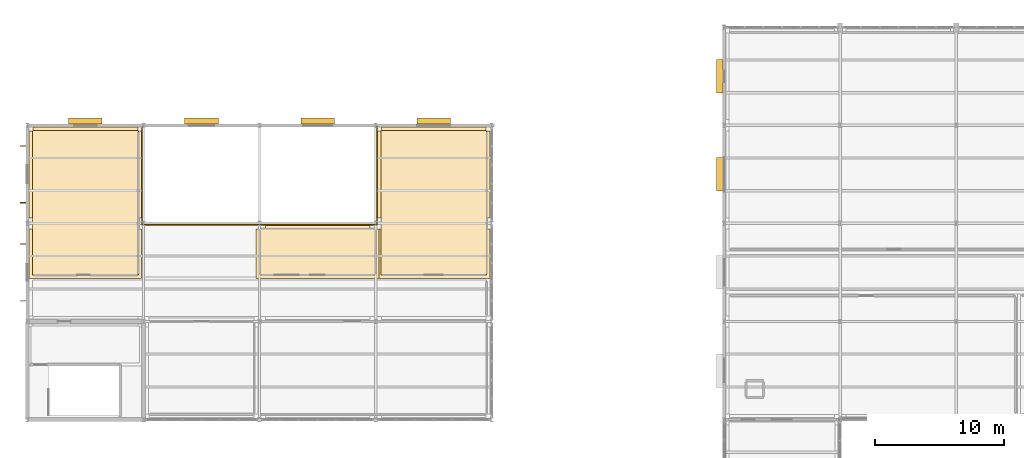
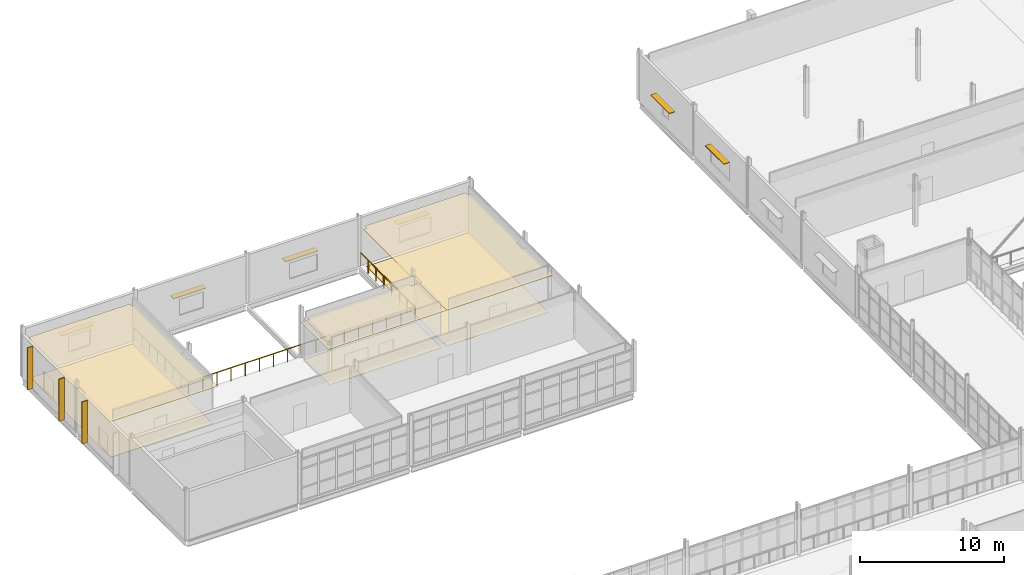
# One storey, part 171 of 174: 9 shading devices, 6 coverings, 1 railing.
"""IFC4 building model written with IfcOpenShell, lengths in metres."""

from ifc_helpers import new_model, si_unit, direction, frame, origin, origin_2d, place, context, subcontext, project, spatial, polyline, rectangle, circle, outline, extrude, material, layer, layer_set, type_object, element, save


model = new_model("IFC4")

# Units and contexts
model_context = context("Model", 3, precision=1e-05, world=origin(), true_north=direction((0.0, 1.0)))
body_context = subcontext(model_context, "Body", "Model", "MODEL_VIEW")
ifc_project = project(units=[si_unit("LENGTHUNIT", "METRE"), si_unit("AREAUNIT", "SQUARE_METRE"), si_unit("VOLUMEUNIT", "CUBIC_METRE"), si_unit("PLANEANGLEUNIT", "RADIAN"), si_unit("MASSUNIT", "GRAM", prefix="KILO")], contexts=[model_context])

# Site, building, storey
site_placement = place(None, origin())
site = spatial("IfcSite", under=ifc_project, at=site_placement, CompositionType="ELEMENT")
building_placement = place(site_placement, origin())
building = spatial("IfcBuilding", under=site, at=building_placement, Name="Caisbarro Railhouse Central Library", CompositionType="ELEMENT")
storey_placement = place(building_placement, frame((0.0, 0.0, 5.0400390625)))
storey = spatial("IfcBuildingStorey", under=building, at=storey_placement, Name="L01", CompositionType="ELEMENT", Elevation=5.0400390625)

# Coverings
ifc_material_1 = material(Name="Perforated mineral-fibre acoustic ceiling tile")
ifc_layer_1 = layer(ifc_material_1, 0.01806640625, Name="Perforated mineral-fibre acoustic ceiling tile")
ifc_layer_set_1 = layer_set([ifc_layer_1], Name="Perforated mineral-fibre acoustic ceiling tile")
covering_type_1 = type_object("IfcCoveringType", Name="COV-CL01", PredefinedType="CEILING", material=ifc_layer_set_1)
covering_1_placement = place(storey_placement, frame((0.0, 0.0, 3.25)))
element("IfcCovering", 1, at=covering_1_placement, inside=storey, type_object=covering_type_1, Name="CL01 acoustic ceiling Homework Tutoring Classroom", PredefinedType="CEILING", context=body_context, shape_type="SweptSolid", body=[
    extrude(outline(polyline([(18.43994140625, 98.360107421875), (18.43994140625, 98.659912109375), (26.56005859375, 98.659912109375), (26.56005859375, 98.360107421875), (27.260009765625, 98.360107421875), (27.260009765625, 94.5400390625), (17.739990234375, 94.5400390625), (17.739990234375, 98.360107421875), (18.43994140625, 98.360107421875)])), origin(), (0.0, 0.0, 1.0), 0.01806640625),
])
covering_2_placement = place(storey_placement, frame((0.0, 0.0, 3.25)))
element("IfcCovering", 2, at=covering_2_placement, inside=storey, type_object=covering_type_1, Name="CL01 acoustic ceiling Storytelling Mezzanine West", PredefinedType="CEILING", context=body_context, shape_type="SweptSolid", body=[
    extrude(outline(polyline([(0.139892578125, 99.239990234375), (0.139892578125, 105.9599609375), (0.43994140625, 105.9599609375), (0.43994140625, 106.260009765625), (8.56005859375, 106.260009765625), (8.56005859375, 105.9599609375), (8.860107421875, 105.9599609375), (8.860107421875, 99.239990234375), (8.56005859375, 99.239990234375), (8.56005859375, 98.360107421875), (8.860107421875, 98.360107421875), (8.860107421875, 94.5400390625), (0.139892578125, 94.5400390625), (0.139892578125, 98.360107421875), (0.43994140625, 98.360107421875), (0.43994140625, 99.239990234375), (0.139892578125, 99.239990234375)])), origin(), (0.0, 0.0, 1.0), 0.01806640625),
])
covering_3_placement = place(storey_placement, frame((0.0, 0.0, 3.25)))
element("IfcCovering", 3, at=covering_3_placement, inside=storey, type_object=covering_type_1, Name="CL01 acoustic ceiling Storytelling Mezzanine East", PredefinedType="CEILING", context=body_context, shape_type="SweptSolid", body=[
    extrude(outline(polyline([(27.139892578125, 99.239990234375), (27.139892578125, 105.9599609375), (27.43994140625, 105.9599609375), (27.43994140625, 106.260009765625), (35.56005859375, 106.260009765625), (35.56005859375, 105.9599609375), (35.860107421875, 105.9599609375), (35.860107421875, 99.239990234375), (35.56005859375, 99.239990234375), (35.56005859375, 98.360107421875), (35.860107421875, 98.360107421875), (35.860107421875, 94.5400390625), (27.139892578125, 94.5400390625), (27.139892578125, 98.360107421875), (27.43994140625, 98.360107421875), (27.43994140625, 99.239990234375), (27.139892578125, 99.239990234375)])), origin(), (0.0, 0.0, 1.0), 0.01806640625),
])
ifc_material_2 = material(Name="Heavy-duty acoustic linoleum flooring")
ifc_layer_2 = layer(ifc_material_2, 0.011962890625, Name="Heavy-duty acoustic linoleum flooring")
ifc_layer_set_2 = layer_set([ifc_layer_2], Name="Heavy-duty acoustic linoleum flooring")
covering_type_2 = type_object("IfcCoveringType", Name="COV-FL02", PredefinedType="FLOORING", material=ifc_layer_set_2)
covering_4_placement = place(storey_placement, origin())
element("IfcCovering", 4, at=covering_4_placement, inside=storey, type_object=covering_type_2, Name="FL02 flooring Homework Tutoring Classroom", PredefinedType="FLOORING", context=body_context, shape_type="SweptSolid", body=[
    extrude(outline(polyline([(18.0, 94.800048828125), (27.0, 94.800048828125), (27.0, 98.39990234375), (18.0, 98.39990234375), (18.0, 94.800048828125)])), origin(), (0.0, 0.0, 1.0), 0.011962890625),
])
covering_5_placement = place(storey_placement, origin())
element("IfcCovering", 5, at=covering_5_placement, inside=storey, type_object=covering_type_2, Name="FL02 flooring Storytelling Mezzanine West", PredefinedType="FLOORING", context=body_context, shape_type="SweptSolid", body=[
    extrude(outline(polyline([(0.39990234375, 94.800048828125), (8.60009765625, 94.800048828125), (8.60009765625, 106.0), (0.39990234375, 106.0), (0.39990234375, 94.800048828125)])), origin(), (0.0, 0.0, 1.0), 0.011962890625),
])
covering_6_placement = place(storey_placement, origin())
element("IfcCovering", 6, at=covering_6_placement, inside=storey, type_object=covering_type_2, Name="FL02 flooring Storytelling Mezzanine East", PredefinedType="FLOORING", context=body_context, shape_type="SweptSolid", body=[
    extrude(outline(polyline([(27.39990234375, 94.800048828125), (35.60009765625, 94.800048828125), (35.60009765625, 106.0), (27.39990234375, 106.0), (27.39990234375, 94.800048828125)])), origin(), (0.0, 0.0, 1.0), 0.011962890625),
])

# Railing
ifc_material_3 = material(Name="Laminated safety glass balustrade with stainless top rail", Category="glass")
railing_type = type_object("IfcRailingType", Name="RLG-ATR112", PredefinedType="GUARDRAIL", material=ifc_material_3)
railing_placement = place(storey_placement, frame((8.89990234375, 106.300048828125, 0.0)))
element("IfcRailing", 7, at=railing_placement, inside=storey, type_object=railing_type, Name="RG02 Interior Void Balustrade L01-09", PredefinedType="GUARDRAIL", context=body_context, shape_type="SweptSolid", body=[
    extrude(circle(Radius=0.02392578125, at=origin_2d()), frame((0.0, 0.0, 1.09619140625), z_axis=(0.0, -1.0, 0.0), x_axis=(1.0, 0.0, 0.0)), (0.0, 0.0, 1.0), 7.60009765625),
    extrude(circle(Radius=0.02392578125, at=origin_2d()), frame((0.0, -7.60009765625, 1.09619140625), z_axis=(1.0, 0.0, 0.0), x_axis=(0.0, 1.0, 0.0)), (0.0, 0.0, 1.0), 18.2001953125),
    extrude(circle(Radius=0.02392578125, at=origin_2d()), frame((18.2001953125, -7.60009765625, 1.09619140625), z_axis=(0.0, 1.0, 0.0), x_axis=(-1.0, 0.0, 0.0)), (0.0, 0.0, 1.0), 7.60009765625),
    extrude(circle(Radius=0.02099609375, at=origin_2d()), origin(), (0.0, 0.0, 1.0), 1.072021484375),
    extrude(circle(Radius=0.02099609375, at=origin_2d()), frame((0.0, -1.085693359375, 0.0)), (0.0, 0.0, 1.0), 1.072021484375),
    extrude(circle(Radius=0.02099609375, at=origin_2d()), frame((0.0, -2.17138671875, 0.0)), (0.0, 0.0, 1.0), 1.072021484375),
    extrude(circle(Radius=0.02099609375, at=origin_2d()), frame((0.0, -3.257080078125, 0.0)), (0.0, 0.0, 1.0), 1.072021484375),
    extrude(circle(Radius=0.02099609375, at=origin_2d()), frame((0.0, -4.343017578125, 0.0)), (0.0, 0.0, 1.0), 1.072021484375),
    extrude(circle(Radius=0.02099609375, at=origin_2d()), frame((0.0, -5.4287109375, 0.0)), (0.0, 0.0, 1.0), 1.072021484375),
    extrude(circle(Radius=0.02099609375, at=origin_2d()), frame((0.0, -6.514404296875, 0.0)), (0.0, 0.0, 1.0), 1.072021484375),
    extrude(circle(Radius=0.02099609375, at=origin_2d()), frame((0.0, -7.60009765625, 0.0)), (0.0, 0.0, 1.0), 1.072021484375),
    extrude(circle(Radius=0.02099609375, at=origin_2d()), frame((1.137451171875, -7.60009765625, 0.0)), (0.0, 0.0, 1.0), 1.072021484375),
    extrude(circle(Radius=0.02099609375, at=origin_2d()), frame((2.27490234375, -7.60009765625, 0.0)), (0.0, 0.0, 1.0), 1.072021484375),
    extrude(circle(Radius=0.02099609375, at=origin_2d()), frame((3.41259765625, -7.60009765625, 0.0)), (0.0, 0.0, 1.0), 1.072021484375),
    extrude(circle(Radius=0.02099609375, at=origin_2d()), frame((4.550048828125, -7.60009765625, 0.0)), (0.0, 0.0, 1.0), 1.072021484375),
    extrude(circle(Radius=0.02099609375, at=origin_2d()), frame((5.6875, -7.60009765625, 0.0)), (0.0, 0.0, 1.0), 1.072021484375),
    extrude(circle(Radius=0.02099609375, at=origin_2d()), frame((6.8251953125, -7.60009765625, 0.0)), (0.0, 0.0, 1.0), 1.072021484375),
    extrude(circle(Radius=0.02099609375, at=origin_2d()), frame((7.962646484375, -7.60009765625, 0.0)), (0.0, 0.0, 1.0), 1.072021484375),
    extrude(circle(Radius=0.02099609375, at=origin_2d()), frame((9.10009765625, -7.60009765625, 0.0)), (0.0, 0.0, 1.0), 1.072021484375),
    extrude(circle(Radius=0.02099609375, at=origin_2d()), frame((10.237548828125, -7.60009765625, 0.0)), (0.0, 0.0, 1.0), 1.072021484375),
    extrude(circle(Radius=0.02099609375, at=origin_2d()), frame((11.375, -7.60009765625, 0.0)), (0.0, 0.0, 1.0), 1.072021484375),
    extrude(circle(Radius=0.02099609375, at=origin_2d()), frame((12.5126953125, -7.60009765625, 0.0)), (0.0, 0.0, 1.0), 1.072021484375),
    extrude(circle(Radius=0.02099609375, at=origin_2d()), frame((13.650146484375, -7.60009765625, 0.0)), (0.0, 0.0, 1.0), 1.072021484375),
    extrude(circle(Radius=0.02099609375, at=origin_2d()), frame((14.78759765625, -7.60009765625, 0.0)), (0.0, 0.0, 1.0), 1.072021484375),
    extrude(circle(Radius=0.02099609375, at=origin_2d()), frame((15.92529296875, -7.60009765625, 0.0)), (0.0, 0.0, 1.0), 1.072021484375),
    extrude(circle(Radius=0.02099609375, at=origin_2d()), frame((17.062744140625, -7.60009765625, 0.0)), (0.0, 0.0, 1.0), 1.072021484375),
    extrude(circle(Radius=0.02099609375, at=origin_2d()), frame((18.2001953125, -7.60009765625, 0.0)), (0.0, 0.0, 1.0), 1.072021484375),
    extrude(circle(Radius=0.02099609375, at=origin_2d()), frame((18.2001953125, -6.514404296875, 0.0)), (0.0, 0.0, 1.0), 1.072021484375),
    extrude(circle(Radius=0.02099609375, at=origin_2d()), frame((18.2001953125, -5.4287109375, 0.0)), (0.0, 0.0, 1.0), 1.072021484375),
    extrude(circle(Radius=0.02099609375, at=origin_2d()), frame((18.2001953125, -4.343017578125, 0.0)), (0.0, 0.0, 1.0), 1.072021484375),
    extrude(circle(Radius=0.02099609375, at=origin_2d()), frame((18.2001953125, -3.257080078125, 0.0)), (0.0, 0.0, 1.0), 1.072021484375),
    extrude(circle(Radius=0.02099609375, at=origin_2d()), frame((18.2001953125, -2.17138671875, 0.0)), (0.0, 0.0, 1.0), 1.072021484375),
    extrude(circle(Radius=0.02099609375, at=origin_2d()), frame((18.2001953125, -1.085693359375, 0.0)), (0.0, 0.0, 1.0), 1.072021484375),
    extrude(circle(Radius=0.02099609375, at=origin_2d()), frame((18.2001953125, 0.0, 0.0)), (0.0, 0.0, 1.0), 1.072021484375),
])

# Shading devices
ifc_material_4 = material(Name="White powder-coated aluminium", Category="aluminium")
shading_device_type_1 = type_object("IfcShadingDeviceType", Name="SHD-FIN01", PredefinedType="USERDEFINED", material=ifc_material_4)
for number, where, z_axis, x_axis, name in (
    (8, (-0.340087890625, 97.199951171875, 0.02490234375), (0.0, 0.0, 1.0), (1.0, 0.0, 0.0), "SFN1 West Solar Fin L01-21"),
    (9, (-0.340087890625, 100.39990234375, 0.02490234375), (0.0, 0.0, 1.0), (1.0, 0.0, 0.0), "SFN1 West Solar Fin L01-22"),
    (10, (-0.340087890625, 104.800048828125, 0.02490234375), (0.0, 0.0, 1.0), (1.0, 0.0, 0.0), "SFN1 West Solar Fin L01-23"),
):
    element("IfcShadingDevice", number, at=place(storey_placement, frame(where, z_axis=z_axis, x_axis=x_axis)), inside=storey, type_object=shading_device_type_1, Name=name, ObjectType="FIN", PredefinedType="USERDEFINED", context=body_context, shape_type="SweptSolid", body=[
        extrude(rectangle(XDim=0.4599609375, YDim=0.06005859375, at=origin_2d()), origin(), (0.0, 0.0, 1.0), 3.580078125),
    ])
ifc_material_5 = material(Name="Anodised architectural aluminium", Category="aluminium")
ifc_layer_3 = layer(ifc_material_5, 0.050048828125, Name="Anodised architectural aluminium")
ifc_layer_set_3 = layer_set([ifc_layer_3], Name="Anodised architectural aluminium")
shading_device_type_2 = type_object("IfcShadingDeviceType", Name="SHD-JAL01", PredefinedType="JALOUSIE", material=ifc_layer_set_3)
for number, where, z_axis, x_axis, name in (
    (11, (4.5, 106.72998046875, 2.23486328125), (0.0, 0.0, 1.0), (1.0, 0.0, 0.0), "JL01 solar brise-soleil L01-16"),
    (12, (13.5, 106.72998046875, 2.23486328125), (0.0, 0.0, 1.0), (1.0, 0.0, 0.0), "JL01 solar brise-soleil L01-17"),
    (13, (22.5, 106.72998046875, 2.23486328125), (0.0, 0.0, 1.0), (1.0, 0.0, 0.0), "JL01 solar brise-soleil L01-18"),
    (14, (31.5, 106.72998046875, 2.23486328125), (0.0, 0.0, 1.0), (1.0, 0.0, 0.0), "JL01 solar brise-soleil L01-19"),
    (15, (53.669921875, 102.60009765625, 2.384765625), (0.0, 0.0, 1.0), (0.0, 1.0, 0.0), "JL01 solar brise-soleil L01-48"),
    (16, (53.669921875, 110.199951171875, 2.0849609375), (0.0, 0.0, 1.0), (0.0, 1.0, 0.0), "JL01 solar brise-soleil L01-49"),
):
    element("IfcShadingDevice", number, at=place(storey_placement, frame(where, z_axis=z_axis, x_axis=x_axis)), inside=storey, type_object=shading_device_type_2, Name=name, PredefinedType="JALOUSIE", context=body_context, shape_type="SweptSolid", body=[
        extrude(rectangle(XDim=2.60009765625, YDim=0.47998046875, at=origin_2d()), origin(), (0.0, 0.0, 1.0), 0.050048828125),
    ])

save(model, "model.ifc")
